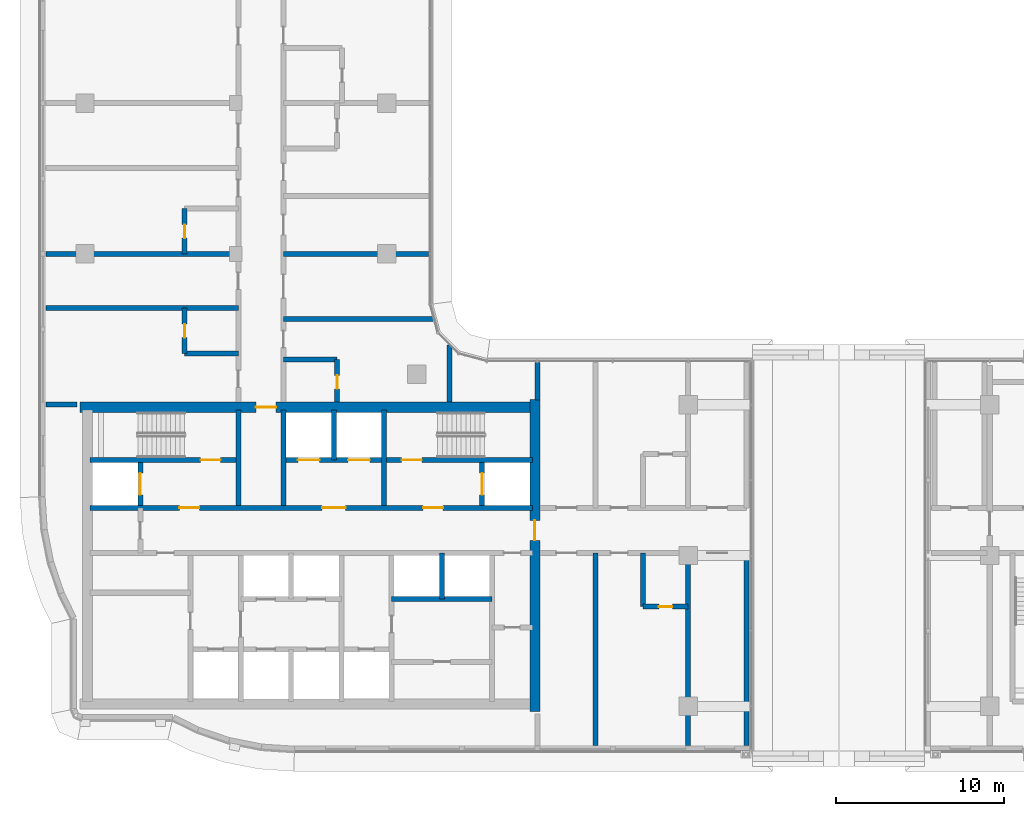
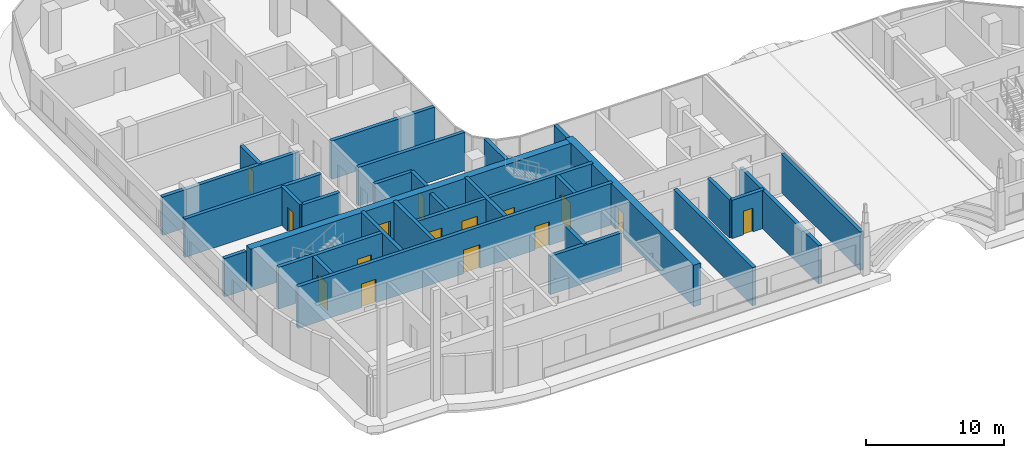
# One storey, part 11 of 23: 30 walls, 15 doors, 15 openings.
"""IFC4 building model written with IfcOpenShell, lengths in metres."""

from ifc_helpers import new_model, si_unit, direction, frame, frame_2d, origin, place, context, subcontext, project, spatial, rectangle, extrude, material, layer, layer_set, type_object, element, fill, save


model = new_model("IFC4")

# Units and contexts
model_context = context("Model", 3, precision=1e-05, world=origin(), true_north=direction((0.0, 1.0)))
body_context = subcontext(model_context, "Body", "Model", "MODEL_VIEW")
ifc_project = project(units=[si_unit("LENGTHUNIT", "METRE"), si_unit("AREAUNIT", "SQUARE_METRE"), si_unit("VOLUMEUNIT", "CUBIC_METRE"), si_unit("PLANEANGLEUNIT", "RADIAN"), si_unit("MASSUNIT", "GRAM", prefix="KILO")], contexts=[model_context])

# Site, building, storey
site_placement = place(None, origin())
site = spatial("IfcSite", under=ifc_project, at=site_placement, CompositionType="ELEMENT")
building_placement = place(site_placement, origin())
building = spatial("IfcBuilding", under=site, at=building_placement, Name="Ogive Portal Towers", CompositionType="ELEMENT")
storey_placement = place(building_placement, frame((0.0, 0.0, 179.199951171875)))
storey = spatial("IfcBuildingStorey", under=building, at=storey_placement, Name="L44", CompositionType="ELEMENT", Elevation=179.199951171875)

# Wall, openings, doors
ifc_material_1 = material(Name="Concrete C60/75", Category="concrete")
ifc_layer_1 = layer(ifc_material_1, 0.300048828125)
ifc_layer_set_1 = layer_set([ifc_layer_1], Name="CORE WALL 300 C60")
wall_type_1 = type_object("IfcWallType", Name="CORE WALL 300 C60", PredefinedType="SHEAR", material=ifc_layer_set_1)
wall_1_placement = place(storey_placement, frame((31.800048828125, 33.35009765625, 0.0), z_axis=(0.0, 0.0, 1.0), x_axis=(1.0, 0.0, 0.0)))
wall_1 = element("IfcWall", 1, at=wall_1_placement, inside=storey, type_object=wall_type_1, Name="Core wall Y2 L44", PredefinedType="SHEAR", context=body_context, shape_type="SweptSolid", body=[
    extrude(rectangle(XDim=26.39990234375, YDim=0.300048828125, at=frame_2d((13.199951171875, 0.0))), origin(), (0.0, 0.0, 1.0), 3.699951171875),
])
opening_1_placement = place(wall_1_placement, frame((13.85009765625, 0.0, 0.0)))
opening_1 = element("IfcOpeningElement", 2, at=opening_1_placement, cuts=wall_1, Name="Opening D19-002", PredefinedType="OPENING", context=body_context, shape_type="SweptSolid", body=[
    extrude(rectangle(XDim=1.39990234375, YDim=2.10009765625, at=frame_2d((0.699951171875, 1.050048828125))), frame((0.0, 0.16015625, 0.0), z_axis=(0.0, -1.0, 0.0), x_axis=(1.0, 0.0, 0.0)), (0.0, 0.0, 1.0), 0.320068359375),
])
opening_2_placement = place(wall_1_placement, frame((5.324951171875, 0.0, 0.0)))
opening_2 = element("IfcOpeningElement", 3, at=opening_2_placement, cuts=wall_1, Name="Opening D19-003", PredefinedType="OPENING", context=body_context, shape_type="SweptSolid", body=[
    extrude(rectangle(XDim=1.199951171875, YDim=2.10009765625, at=frame_2d((0.60009765625, 1.050048828125))), frame((0.0, 0.16015625, 0.0), z_axis=(0.0, -1.0, 0.0), x_axis=(1.0, 0.0, 0.0)), (0.0, 0.0, 1.0), 0.320068359375),
])
opening_3_placement = place(wall_1_placement, frame((19.875, 0.0, 0.0)))
opening_3 = element("IfcOpeningElement", 4, at=opening_3_placement, cuts=wall_1, Name="Opening D19-004", PredefinedType="OPENING", context=body_context, shape_type="SweptSolid", body=[
    extrude(rectangle(XDim=1.199951171875, YDim=2.10009765625, at=frame_2d((0.60009765625, 1.050048828125))), frame((0.0, 0.16015625, 0.0), z_axis=(0.0, -1.0, 0.0), x_axis=(1.0, 0.0, 0.0)), (0.0, 0.0, 1.0), 0.320068359375),
])
ifc_material_2 = material(Name="Steel fire door", Category="steel")
door_type_1 = type_object("IfcDoorType", Name="DT-SWING-1200x2100-FD90S", OperationType="SINGLE_SWING_LEFT", PredefinedType="DOOR", material=ifc_material_2)
door_1_placement = place(opening_2_placement, origin())
door_1 = element("IfcDoor", 5, at=door_1_placement, inside=storey, type_object=door_type_1, Name="Door D19-003", OperationType="SINGLE_SWING_LEFT", OverallHeight=2.10009765625, OverallWidth=1.199951171875, PredefinedType="DOOR", context=body_context, shape_type="SweptSolid", body=[
    extrude(rectangle(XDim=1.199951171875, YDim=2.10009765625, at=frame_2d((0.60009765625, 1.050048828125))), frame((0.0, 0.02490234375, 0.0), z_axis=(0.0, -1.0, 0.0), x_axis=(1.0, 0.0, 0.0)), (0.0, 0.0, 1.0), 0.050048828125),
])
fill(opening_2, door_1)
door_2_placement = place(opening_3_placement, origin())
door_2 = element("IfcDoor", 6, at=door_2_placement, inside=storey, type_object=door_type_1, Name="Door D19-004", OperationType="SINGLE_SWING_RIGHT", OverallHeight=2.10009765625, OverallWidth=1.199951171875, PredefinedType="DOOR", context=body_context, shape_type="SweptSolid", body=[
    extrude(rectangle(XDim=1.199951171875, YDim=2.10009765625, at=frame_2d((0.60009765625, 1.050048828125))), frame((0.0, 0.02490234375, 0.0), z_axis=(0.0, -1.0, 0.0), x_axis=(1.0, 0.0, 0.0)), (0.0, 0.0, 1.0), 0.050048828125),
])
fill(opening_3, door_2)
door_type_2 = type_object("IfcDoorType", Name="DT-SWING-1400x2100-FD90S", OperationType="SINGLE_SWING_LEFT", PredefinedType="DOOR", material=ifc_material_2)
door_3_placement = place(opening_1_placement, origin())
door_3 = element("IfcDoor", 7, at=door_3_placement, inside=storey, type_object=door_type_2, Name="Door D19-002", OperationType="SINGLE_SWING_RIGHT", OverallHeight=2.10009765625, OverallWidth=1.39990234375, PredefinedType="DOOR", context=body_context, shape_type="SweptSolid", body=[
    extrude(rectangle(XDim=1.39990234375, YDim=2.10009765625, at=frame_2d((0.699951171875, 1.050048828125))), frame((0.0, 0.02490234375, 0.0), z_axis=(0.0, -1.0, 0.0), x_axis=(1.0, 0.0, 0.0)), (0.0, 0.0, 1.0), 0.050048828125),
])
fill(opening_1, door_3)

# Wall, opening, door
wall_2_placement = place(storey_placement, frame((31.800048828125, 36.199951171875, 0.0), z_axis=(0.0, 0.0, 1.0), x_axis=(1.0, 0.0, 0.0)))
wall_2 = element("IfcWall", 8, at=wall_2_placement, inside=storey, type_object=wall_type_1, Name="Core wall Y3a L44", PredefinedType="SHEAR", context=body_context, shape_type="SweptSolid", body=[
    extrude(rectangle(XDim=8.699951171875, YDim=0.300048828125, at=frame_2d((4.35009765625, 0.0))), origin(), (0.0, 0.0, 1.0), 3.699951171875),
])
opening_4_placement = place(wall_2_placement, frame((6.60009765625, 0.0, 0.0)))
opening_4 = element("IfcOpeningElement", 9, at=opening_4_placement, cuts=wall_2, Name="Opening D19-005", PredefinedType="OPENING", context=body_context, shape_type="SweptSolid", body=[
    extrude(rectangle(XDim=1.199951171875, YDim=2.10009765625, at=frame_2d((0.60009765625, 1.050048828125))), frame((0.0, 0.16015625, 0.0), z_axis=(0.0, -1.0, 0.0), x_axis=(1.0, 0.0, 0.0)), (0.0, 0.0, 1.0), 0.320068359375),
])
door_4_placement = place(opening_4_placement, origin())
door_4 = element("IfcDoor", 10, at=door_4_placement, inside=storey, type_object=door_type_1, Name="Door D19-005", OperationType="SINGLE_SWING_RIGHT", OverallHeight=2.10009765625, OverallWidth=1.199951171875, PredefinedType="DOOR", context=body_context, shape_type="SweptSolid", body=[
    extrude(rectangle(XDim=1.199951171875, YDim=2.10009765625, at=frame_2d((0.60009765625, 1.050048828125))), frame((0.0, 0.02490234375, 0.0), z_axis=(0.0, -1.0, 0.0), x_axis=(1.0, 0.0, 0.0)), (0.0, 0.0, 1.0), 0.050048828125),
])
fill(opening_4, door_4)

# Wall, openings, doors
wall_3_placement = place(storey_placement, frame((43.5, 36.199951171875, 0.0), z_axis=(0.0, 0.0, 1.0), x_axis=(1.0, 0.0, 0.0)))
wall_3 = element("IfcWall", 11, at=wall_3_placement, inside=storey, type_object=wall_type_1, Name="Core wall Y3b L44", PredefinedType="SHEAR", context=body_context, shape_type="SweptSolid", body=[
    extrude(rectangle(XDim=14.699951171875, YDim=0.300048828125, at=frame_2d((7.35009765625, 0.0))), origin(), (0.0, 0.0, 1.0), 3.699951171875),
])
opening_5_placement = place(wall_3_placement, frame((6.89990234375, 0.0, 0.0)))
opening_5 = element("IfcOpeningElement", 12, at=opening_5_placement, cuts=wall_3, Name="Opening D19-006", PredefinedType="OPENING", context=body_context, shape_type="SweptSolid", body=[
    extrude(rectangle(XDim=1.199951171875, YDim=2.10009765625, at=frame_2d((0.60009765625, 1.050048828125))), frame((0.0, 0.16015625, 0.0), z_axis=(0.0, -1.0, 0.0), x_axis=(1.0, 0.0, 0.0)), (0.0, 0.0, 1.0), 0.320068359375),
])
opening_6_placement = place(wall_3_placement, frame((0.699951171875, 0.0, 0.0)))
opening_6 = element("IfcOpeningElement", 13, at=opening_6_placement, cuts=wall_3, Name="Opening D19-017", PredefinedType="OPENING", context=body_context, shape_type="SweptSolid", body=[
    extrude(rectangle(XDim=1.300048828125, YDim=2.39990234375, at=frame_2d((0.64990234375, 1.199951171875))), frame((0.0, 0.16015625, 0.0), z_axis=(0.0, -1.0, 0.0), x_axis=(1.0, 0.0, 0.0)), (0.0, 0.0, 1.0), 0.320068359375),
])
opening_7_placement = place(wall_3_placement, frame((3.699951171875, 0.0, 0.0)))
opening_7 = element("IfcOpeningElement", 14, at=opening_7_placement, cuts=wall_3, Name="Opening D19-018", PredefinedType="OPENING", context=body_context, shape_type="SweptSolid", body=[
    extrude(rectangle(XDim=1.300048828125, YDim=2.39990234375, at=frame_2d((0.64990234375, 1.199951171875))), frame((0.0, 0.16015625, 0.0), z_axis=(0.0, -1.0, 0.0), x_axis=(1.0, 0.0, 0.0)), (0.0, 0.0, 1.0), 0.320068359375),
])
ifc_material_3 = material(Name="Stainless steel", Category="steel")
door_type_3 = type_object("IfcDoorType", Name="DT-LD-1300x2400", OperationType="SLIDING_TO_LEFT", PredefinedType="DOOR", material=ifc_material_3)
door_5_placement = place(opening_6_placement, origin())
door_5 = element("IfcDoor", 15, at=door_5_placement, inside=storey, type_object=door_type_3, Name="Door D19-017", OperationType="SLIDING_TO_LEFT", OverallHeight=2.39990234375, OverallWidth=1.300048828125, PredefinedType="DOOR", context=body_context, shape_type="SweptSolid", body=[
    extrude(rectangle(XDim=1.300048828125, YDim=2.39990234375, at=frame_2d((0.64990234375, 1.199951171875))), frame((0.0, 0.02490234375, 0.0), z_axis=(0.0, -1.0, 0.0), x_axis=(1.0, 0.0, 0.0)), (0.0, 0.0, 1.0), 0.050048828125),
])
fill(opening_6, door_5)
door_6_placement = place(opening_7_placement, origin())
door_6 = element("IfcDoor", 16, at=door_6_placement, inside=storey, type_object=door_type_3, Name="Door D19-018", OperationType="SLIDING_TO_LEFT", OverallHeight=2.39990234375, OverallWidth=1.300048828125, PredefinedType="DOOR", context=body_context, shape_type="SweptSolid", body=[
    extrude(rectangle(XDim=1.300048828125, YDim=2.39990234375, at=frame_2d((0.64990234375, 1.199951171875))), frame((0.0, 0.02490234375, 0.0), z_axis=(0.0, -1.0, 0.0), x_axis=(1.0, 0.0, 0.0)), (0.0, 0.0, 1.0), 0.050048828125),
])
fill(opening_7, door_6)
door_7_placement = place(opening_5_placement, origin())
door_7 = element("IfcDoor", 17, at=door_7_placement, inside=storey, type_object=door_type_1, Name="Door D19-006", OperationType="SINGLE_SWING_LEFT", OverallHeight=2.10009765625, OverallWidth=1.199951171875, PredefinedType="DOOR", context=body_context, shape_type="SweptSolid", body=[
    extrude(rectangle(XDim=1.199951171875, YDim=2.10009765625, at=frame_2d((0.60009765625, 1.050048828125))), frame((0.0, 0.02490234375, 0.0), z_axis=(0.0, -1.0, 0.0), x_axis=(1.0, 0.0, 0.0)), (0.0, 0.0, 1.0), 0.050048828125),
])
fill(opening_5, door_7)

# Walls
for number, where, z_axis, x_axis, name in (
    (18, (40.64990234375, 33.5, 0.0), (0.0, 0.0, 1.0), (0.0, 1.0, 0.0), "Core wall X6 L44"),
    (19, (43.35009765625, 33.5, 0.0), (0.0, 0.0, 1.0), (0.0, 1.0, 0.0), "Core wall X7 L44"),
):
    element("IfcWall", number, at=place(storey_placement, frame(where, z_axis=z_axis, x_axis=x_axis)), inside=storey, type_object=wall_type_1, Name=name, PredefinedType="SHEAR", context=body_context, shape_type="SweptSolid", body=[
        extrude(rectangle(XDim=5.699951171875, YDim=0.300048828125, at=frame_2d((2.85009765625, 0.0))), origin(), (0.0, 0.0, 1.0), 3.699951171875),
    ])

# Wall, opening, door
wall_4_placement = place(storey_placement, frame((34.800048828125, 33.5, 0.0), z_axis=(0.0, 0.0, 1.0), x_axis=(0.0, 1.0, 0.0)))
wall_4 = element("IfcWall", 20, at=wall_4_placement, inside=storey, type_object=wall_type_1, Name="Core wall X8 L44", PredefinedType="SHEAR", context=body_context, shape_type="SweptSolid", body=[
    extrude(rectangle(XDim=2.550048828125, YDim=0.300048828125, at=frame_2d((1.27490234375, 0.0))), origin(), (0.0, 0.0, 1.0), 3.699951171875),
])
opening_8_placement = place(wall_4_placement, frame((0.625, 0.0, 0.0)))
opening_8 = element("IfcOpeningElement", 21, at=opening_8_placement, cuts=wall_4, Name="Opening D19-019", PredefinedType="OPENING", context=body_context, shape_type="SweptSolid", body=[
    extrude(rectangle(XDim=1.300048828125, YDim=2.39990234375, at=frame_2d((0.64990234375, 1.199951171875))), frame((0.0, 0.16015625, 0.0), z_axis=(0.0, -1.0, 0.0), x_axis=(1.0, 0.0, 0.0)), (0.0, 0.0, 1.0), 0.320068359375),
])
door_8_placement = place(opening_8_placement, origin())
door_8 = element("IfcDoor", 22, at=door_8_placement, inside=storey, type_object=door_type_3, Name="Door D19-019", OperationType="SLIDING_TO_LEFT", OverallHeight=2.39990234375, OverallWidth=1.300048828125, PredefinedType="DOOR", context=body_context, shape_type="SweptSolid", body=[
    extrude(rectangle(XDim=1.300048828125, YDim=2.39990234375, at=frame_2d((0.64990234375, 1.199951171875))), frame((0.0, 0.02490234375, 0.0), z_axis=(0.0, -1.0, 0.0), x_axis=(1.0, 0.0, 0.0)), (0.0, 0.0, 1.0), 0.050048828125),
])
fill(opening_8, door_8)

# Wall
wall_5_placement = place(storey_placement, frame((49.35009765625, 33.5, 0.0), z_axis=(0.0, 0.0, 1.0), x_axis=(0.0, 1.0, 0.0)))
element("IfcWall", 23, at=wall_5_placement, inside=storey, type_object=wall_type_1, Name="Core wall X9 L44", PredefinedType="SHEAR", context=body_context, shape_type="SweptSolid", body=[
    extrude(rectangle(XDim=5.699951171875, YDim=0.300048828125, at=frame_2d((2.85009765625, 0.0))), origin(), (0.0, 0.0, 1.0), 3.699951171875),
])

# Wall, opening, door
wall_6_placement = place(storey_placement, frame((55.199951171875, 33.5, 0.0), z_axis=(0.0, 0.0, 1.0), x_axis=(0.0, 1.0, 0.0)))
wall_6 = element("IfcWall", 24, at=wall_6_placement, inside=storey, type_object=wall_type_1, Name="Core wall X10 L44", PredefinedType="SHEAR", context=body_context, shape_type="SweptSolid", body=[
    extrude(rectangle(XDim=2.550048828125, YDim=0.300048828125, at=frame_2d((1.27490234375, 0.0))), origin(), (0.0, 0.0, 1.0), 3.699951171875),
])
opening_9_placement = place(wall_6_placement, frame((0.625, 0.0, 0.0)))
opening_9 = element("IfcOpeningElement", 25, at=opening_9_placement, cuts=wall_6, Name="Opening D19-020", PredefinedType="OPENING", context=body_context, shape_type="SweptSolid", body=[
    extrude(rectangle(XDim=1.300048828125, YDim=2.39990234375, at=frame_2d((0.64990234375, 1.199951171875))), frame((0.0, 0.16015625, 0.0), z_axis=(0.0, -1.0, 0.0), x_axis=(1.0, 0.0, 0.0)), (0.0, 0.0, 1.0), 0.320068359375),
])
door_9_placement = place(opening_9_placement, origin())
door_9 = element("IfcDoor", 26, at=door_9_placement, inside=storey, type_object=door_type_3, Name="Door D19-020", OperationType="SLIDING_TO_LEFT", OverallHeight=2.39990234375, OverallWidth=1.300048828125, PredefinedType="DOOR", context=body_context, shape_type="SweptSolid", body=[
    extrude(rectangle(XDim=1.300048828125, YDim=2.39990234375, at=frame_2d((0.64990234375, 1.199951171875))), frame((0.0, 0.02490234375, 0.0), z_axis=(0.0, -1.0, 0.0), x_axis=(1.0, 0.0, 0.0)), (0.0, 0.0, 1.0), 0.050048828125),
])
fill(opening_9, door_9)

ifc_layer_2 = layer(ifc_material_1, 0.60009765625)
ifc_layer_set_2 = layer_set([ifc_layer_2], Name="CORE WALL 600 C60")
wall_type_2 = type_object("IfcWallType", Name="CORE WALL 600 C60", PredefinedType="SHEAR", material=ifc_layer_set_2)
wall_7_placement = place(storey_placement, frame((58.35009765625, 21.199951171875, 0.0), z_axis=(0.0, 0.0, 1.0), x_axis=(0.0, 1.0, 0.0)))
wall_7 = element("IfcWall", 27, at=wall_7_placement, inside=storey, type_object=wall_type_2, Name="Core wall E L44", PredefinedType="SHEAR", context=body_context, shape_type="SweptSolid", body=[
    extrude(rectangle(XDim=18.60009765625, YDim=0.60009765625, at=frame_2d((9.300048828125, 0.0))), origin(), (0.0, 0.0, 1.0), 3.699951171875),
])
opening_10_placement = place(wall_7_placement, frame((10.199951171875, 0.0, 0.0)))
opening_10 = element("IfcOpeningElement", 28, at=opening_10_placement, cuts=wall_7, Name="Opening D19-011", PredefinedType="OPENING", context=body_context, shape_type="SweptSolid", body=[
    extrude(rectangle(XDim=1.199951171875, YDim=2.10009765625, at=frame_2d((0.60009765625, 1.050048828125))), frame((0.0, 0.31005859375, 0.0), z_axis=(0.0, -1.0, 0.0), x_axis=(1.0, 0.0, 0.0)), (0.0, 0.0, 1.0), 0.6201171875),
])
door_10_placement = place(opening_10_placement, origin())
door_10 = element("IfcDoor", 29, at=door_10_placement, inside=storey, type_object=door_type_1, Name="Door D19-011", OperationType="SINGLE_SWING_LEFT", OverallHeight=2.10009765625, OverallWidth=1.199951171875, PredefinedType="DOOR", context=body_context, shape_type="SweptSolid", body=[
    extrude(rectangle(XDim=1.199951171875, YDim=2.10009765625, at=frame_2d((0.60009765625, 1.050048828125))), frame((0.0, 0.02490234375, 0.0), z_axis=(0.0, -1.0, 0.0), x_axis=(1.0, 0.0, 0.0)), (0.0, 0.0, 1.0), 0.050048828125),
])
fill(opening_10, door_10)

wall_8_placement = place(storey_placement, frame((31.199951171875, 39.35009765625, 0.0), z_axis=(0.0, 0.0, 1.0), x_axis=(1.0, 0.0, 0.0)))
wall_8 = element("IfcWall", 30, at=wall_8_placement, inside=storey, type_object=wall_type_2, Name="Core wall N L44", PredefinedType="SHEAR", context=body_context, shape_type="SweptSolid", body=[
    extrude(rectangle(XDim=27.0, YDim=0.60009765625, at=frame_2d((13.5, 0.0))), origin(), (0.0, 0.0, 1.0), 3.699951171875),
])
opening_11_placement = place(wall_8_placement, frame((10.5, 0.0, 0.0)))
opening_11 = element("IfcOpeningElement", 31, at=opening_11_placement, cuts=wall_8, Name="Opening D19-012", PredefinedType="OPENING", context=body_context, shape_type="SweptSolid", body=[
    extrude(rectangle(XDim=1.199951171875, YDim=2.10009765625, at=frame_2d((0.60009765625, 1.050048828125))), frame((0.0, 0.31005859375, 0.0), z_axis=(0.0, -1.0, 0.0), x_axis=(1.0, 0.0, 0.0)), (0.0, 0.0, 1.0), 0.6201171875),
])
door_11_placement = place(opening_11_placement, origin())
door_11 = element("IfcDoor", 32, at=door_11_placement, inside=storey, type_object=door_type_1, Name="Door D19-012", OperationType="SINGLE_SWING_RIGHT", OverallHeight=2.10009765625, OverallWidth=1.199951171875, PredefinedType="DOOR", context=body_context, shape_type="SweptSolid", body=[
    extrude(rectangle(XDim=1.199951171875, YDim=2.10009765625, at=frame_2d((0.60009765625, 1.050048828125))), frame((0.0, 0.02490234375, 0.0), z_axis=(0.0, -1.0, 0.0), x_axis=(1.0, 0.0, 0.0)), (0.0, 0.0, 1.0), 0.050048828125),
])
fill(opening_11, door_11)

ifc_material_4 = material(Name="Gypsum board partition on steel studs", Category="steel")
ifc_layer_3 = layer(ifc_material_4, 0.300048828125)
ifc_layer_set_3 = layer_set([ifc_layer_3], Name="WT-PART-300-EI 60")
wall_type_3 = type_object("IfcWallType", Name="WT-PART-300-EI 60", PredefinedType="PARTITIONING", material=ifc_layer_set_3)
wall_9_placement = place(storey_placement, frame((64.800048828125, 27.449951171875, 0.0), z_axis=(0.0, 0.0, 1.0), x_axis=(1.0, 0.0, 0.0)))
wall_9 = element("IfcWall", 33, at=wall_9_placement, inside=storey, type_object=wall_type_3, Name="Wall L44:w002", PredefinedType="PARTITIONING", context=body_context, shape_type="SweptSolid", body=[
    extrude(rectangle(XDim=2.699951171875, YDim=0.300048828125, at=frame_2d((1.35009765625, 0.0))), origin(), (0.0, 0.0, 1.0), 3.400146484375),
])
opening_12_placement = place(wall_9_placement, frame((0.949951171875, 0.0, 0.0)))
opening_12 = element("IfcOpeningElement", 34, at=opening_12_placement, cuts=wall_9, Name="Opening D19-030", PredefinedType="OPENING", context=body_context, shape_type="SweptSolid", body=[
    extrude(rectangle(XDim=0.800048828125, YDim=2.10009765625, at=frame_2d((0.39990234375, 1.050048828125))), frame((0.0, 0.16015625, 0.0), z_axis=(0.0, -1.0, 0.0), x_axis=(1.0, 0.0, 0.0)), (0.0, 0.0, 1.0), 0.320068359375),
])
door_type_4 = type_object("IfcDoorType", Name="DT-BATH-800x2100-FD60S", OperationType="SINGLE_SWING_LEFT", PredefinedType="DOOR", material=ifc_material_2)
door_12_placement = place(opening_12_placement, origin())
door_12 = element("IfcDoor", 35, at=door_12_placement, inside=storey, type_object=door_type_4, Name="Door D19-030", OperationType="SINGLE_SWING_RIGHT", OverallHeight=2.10009765625, OverallWidth=0.800048828125, PredefinedType="DOOR", context=body_context, shape_type="SweptSolid", body=[
    extrude(rectangle(XDim=0.800048828125, YDim=2.10009765625, at=frame_2d((0.39990234375, 1.050048828125))), frame((0.0, 0.02490234375, 0.0), z_axis=(0.0, -1.0, 0.0), x_axis=(1.0, 0.0, 0.0)), (0.0, 0.0, 1.0), 0.050048828125),
])
fill(opening_12, door_12)

# Walls
wall_10_placement = place(storey_placement, frame((29.169921875, 39.5, 0.0), z_axis=(0.0, 0.0, 1.0), x_axis=(1.0, 0.0, 0.0)))
element("IfcWall", 36, at=wall_10_placement, inside=storey, type_object=wall_type_3, Name="Wall L44:w010", PredefinedType="PARTITIONING", context=body_context, shape_type="SweptSolid", body=[
    extrude(rectangle(XDim=1.860107421875, YDim=0.300048828125, at=frame_2d((0.93017578125, 0.0))), origin(), (0.0, 0.0, 1.0), 3.400146484375),
])
for number, where, z_axis, x_axis, name in (
    (37, (43.35009765625, 42.199951171875, 0.0), (0.0, 0.0, 1.0), (1.0, 0.0, 0.0), "Wall L44:w012"),
    (38, (37.449951171875, 42.56005859375, 0.0), (0.0, 0.0, 1.0), (1.0, 0.0, 0.0), "Wall L44:w013"),
):
    element("IfcWall", number, at=place(storey_placement, frame(where, z_axis=z_axis, x_axis=x_axis)), inside=storey, type_object=wall_type_3, Name=name, PredefinedType="PARTITIONING", context=body_context, shape_type="SweptSolid", body=[
        extrude(rectangle(XDim=3.199951171875, YDim=0.300048828125, at=frame_2d((1.60009765625, 0.0))), origin(), (0.0, 0.0, 1.0), 3.400146484375),
    ])
wall_11_placement = place(storey_placement, frame((43.35009765625, 44.6298828125, 0.0), z_axis=(0.0, 0.0, 1.0), x_axis=(1.0, 0.0, 0.0)))
element("IfcWall", 39, at=wall_11_placement, inside=storey, type_object=wall_type_3, Name="Wall L44:w014", PredefinedType="PARTITIONING", context=body_context, shape_type="SweptSolid", body=[
    extrude(rectangle(XDim=8.949951171875, YDim=0.300048828125, at=frame_2d((4.47509765625, 0.0))), origin(), (0.0, 0.0, 1.0), 3.400146484375),
])
for number, where, z_axis, x_axis, name in (
    (40, (29.169921875, 45.260009765625, 0.0), (0.0, 0.0, 1.0), (1.0, 0.0, 0.0), "Wall L44:w015"),
    (41, (29.169921875, 48.5, 0.0), (0.0, 0.0, 1.0), (1.0, 0.0, 0.0), "Wall L44:w016"),
):
    element("IfcWall", number, at=place(storey_placement, frame(where, z_axis=z_axis, x_axis=x_axis)), inside=storey, type_object=wall_type_3, Name=name, PredefinedType="PARTITIONING", context=body_context, shape_type="SweptSolid", body=[
        extrude(rectangle(XDim=11.47998046875, YDim=0.300048828125, at=frame_2d((5.739990234375, 0.0))), origin(), (0.0, 0.0, 1.0), 3.400146484375),
    ])
wall_12_placement = place(storey_placement, frame((43.35009765625, 48.5, 0.0), z_axis=(0.0, 0.0, 1.0), x_axis=(1.0, 0.0, 0.0)))
element("IfcWall", 42, at=wall_12_placement, inside=storey, type_object=wall_type_3, Name="Wall L44:w017", PredefinedType="PARTITIONING", context=body_context, shape_type="SweptSolid", body=[
    extrude(rectangle(XDim=8.659912109375, YDim=0.300048828125, at=frame_2d((4.330078125, 0.0))), origin(), (0.0, 0.0, 1.0), 3.400146484375),
])

# Wall, opening, door
wall_13_placement = place(storey_placement, frame((37.449951171875, 42.56005859375, 0.0), z_axis=(0.0, 0.0, 1.0), x_axis=(0.0, 1.0, 0.0)))
wall_13 = element("IfcWall", 43, at=wall_13_placement, inside=storey, type_object=wall_type_3, Name="Wall L44:w032", PredefinedType="PARTITIONING", context=body_context, shape_type="SweptSolid", body=[
    extrude(rectangle(XDim=2.699951171875, YDim=0.300048828125, at=frame_2d((1.35009765625, 0.0))), origin(), (0.0, 0.0, 1.0), 3.400146484375),
])
opening_13_placement = place(wall_13_placement, frame((0.949951171875, 0.0, 0.0)))
opening_13 = element("IfcOpeningElement", 44, at=opening_13_placement, cuts=wall_13, Name="Opening D19-038", PredefinedType="OPENING", context=body_context, shape_type="SweptSolid", body=[
    extrude(rectangle(XDim=0.800048828125, YDim=2.10009765625, at=frame_2d((0.39990234375, 1.050048828125))), frame((0.0, 0.16015625, 0.0), z_axis=(0.0, -1.0, 0.0), x_axis=(1.0, 0.0, 0.0)), (0.0, 0.0, 1.0), 0.320068359375),
])
door_13_placement = place(opening_13_placement, origin())
door_13 = element("IfcDoor", 45, at=door_13_placement, inside=storey, type_object=door_type_4, Name="Door D19-038", OperationType="SINGLE_SWING_LEFT", OverallHeight=2.10009765625, OverallWidth=0.800048828125, PredefinedType="DOOR", context=body_context, shape_type="SweptSolid", body=[
    extrude(rectangle(XDim=0.800048828125, YDim=2.10009765625, at=frame_2d((0.39990234375, 1.050048828125))), frame((0.0, 0.02490234375, 0.0), z_axis=(0.0, -1.0, 0.0), x_axis=(1.0, 0.0, 0.0)), (0.0, 0.0, 1.0), 0.050048828125),
])
fill(opening_13, door_13)

wall_14_placement = place(storey_placement, frame((37.449951171875, 48.5, 0.0), z_axis=(0.0, 0.0, 1.0), x_axis=(0.0, 1.0, 0.0)))
wall_14 = element("IfcWall", 46, at=wall_14_placement, inside=storey, type_object=wall_type_3, Name="Wall L44:w033", PredefinedType="PARTITIONING", context=body_context, shape_type="SweptSolid", body=[
    extrude(rectangle(XDim=2.699951171875, YDim=0.300048828125, at=frame_2d((1.35009765625, 0.0))), origin(), (0.0, 0.0, 1.0), 3.400146484375),
])
opening_14_placement = place(wall_14_placement, frame((0.949951171875, 0.0, 0.0)))
opening_14 = element("IfcOpeningElement", 47, at=opening_14_placement, cuts=wall_14, Name="Opening D19-044", PredefinedType="OPENING", context=body_context, shape_type="SweptSolid", body=[
    extrude(rectangle(XDim=0.800048828125, YDim=2.10009765625, at=frame_2d((0.39990234375, 1.050048828125))), frame((0.0, 0.16015625, 0.0), z_axis=(0.0, -1.0, 0.0), x_axis=(1.0, 0.0, 0.0)), (0.0, 0.0, 1.0), 0.320068359375),
])
door_14_placement = place(opening_14_placement, origin())
door_14 = element("IfcDoor", 48, at=door_14_placement, inside=storey, type_object=door_type_4, Name="Door D19-044", OperationType="SINGLE_SWING_LEFT", OverallHeight=2.10009765625, OverallWidth=0.800048828125, PredefinedType="DOOR", context=body_context, shape_type="SweptSolid", body=[
    extrude(rectangle(XDim=0.800048828125, YDim=2.10009765625, at=frame_2d((0.39990234375, 1.050048828125))), frame((0.0, 0.02490234375, 0.0), z_axis=(0.0, -1.0, 0.0), x_axis=(1.0, 0.0, 0.0)), (0.0, 0.0, 1.0), 0.050048828125),
])
fill(opening_14, door_14)

wall_15_placement = place(storey_placement, frame((46.550048828125, 39.64990234375, 0.0), z_axis=(0.0, 0.0, 1.0), x_axis=(0.0, 1.0, 0.0)))
wall_15 = element("IfcWall", 49, at=wall_15_placement, inside=storey, type_object=wall_type_3, Name="Wall L44:w039", PredefinedType="PARTITIONING", context=body_context, shape_type="SweptSolid", body=[
    extrude(rectangle(XDim=2.550048828125, YDim=0.300048828125, at=frame_2d((1.27490234375, 0.0))), origin(), (0.0, 0.0, 1.0), 3.400146484375),
])
opening_15_placement = place(wall_15_placement, frame((0.800048828125, 0.0, 0.0)))
opening_15 = element("IfcOpeningElement", 50, at=opening_15_placement, cuts=wall_15, Name="Opening D19-035", PredefinedType="OPENING", context=body_context, shape_type="SweptSolid", body=[
    extrude(rectangle(XDim=0.800048828125, YDim=2.10009765625, at=frame_2d((0.39990234375, 1.050048828125))), frame((0.0, 0.16015625, 0.0), z_axis=(0.0, -1.0, 0.0), x_axis=(1.0, 0.0, 0.0)), (0.0, 0.0, 1.0), 0.320068359375),
])
door_15_placement = place(opening_15_placement, origin())
door_15 = element("IfcDoor", 51, at=door_15_placement, inside=storey, type_object=door_type_4, Name="Door D19-035", OperationType="SINGLE_SWING_LEFT", OverallHeight=2.10009765625, OverallWidth=0.800048828125, PredefinedType="DOOR", context=body_context, shape_type="SweptSolid", body=[
    extrude(rectangle(XDim=0.800048828125, YDim=2.10009765625, at=frame_2d((0.39990234375, 1.050048828125))), frame((0.0, 0.02490234375, 0.0), z_axis=(0.0, -1.0, 0.0), x_axis=(1.0, 0.0, 0.0)), (0.0, 0.0, 1.0), 0.050048828125),
])
fill(opening_15, door_15)

# Walls
wall_16_placement = place(storey_placement, frame((53.25, 39.64990234375, 0.0), z_axis=(0.0, 0.0, 1.0), x_axis=(0.0, 1.0, 0.0)))
element("IfcWall", 52, at=wall_16_placement, inside=storey, type_object=wall_type_3, Name="Wall L44:w042", PredefinedType="PARTITIONING", context=body_context, shape_type="SweptSolid", body=[
    extrude(rectangle(XDim=3.4130859375, YDim=0.300048828125, at=frame_2d((1.70654296875, 0.0))), origin(), (0.0, 0.0, 1.0), 3.400146484375),
])
wall_17_placement = place(storey_placement, frame((58.5, 39.7900390625, 0.0), z_axis=(0.0, 0.0, 1.0), x_axis=(0.0, 1.0, 0.0)))
element("IfcWall", 53, at=wall_17_placement, inside=storey, type_object=wall_type_3, Name="Wall L44:w044", PredefinedType="PARTITIONING", context=body_context, shape_type="SweptSolid", body=[
    extrude(rectangle(XDim=2.219970703125, YDim=0.300048828125, at=frame_2d((1.10986328125, 0.0))), origin(), (0.0, 0.0, 1.0), 3.400146484375),
])
wall_18_placement = place(storey_placement, frame((61.969970703125, 19.169921875, 0.0), z_axis=(0.0, 0.0, 1.0), x_axis=(0.0, 1.0, 0.0)))
element("IfcWall", 54, at=wall_18_placement, inside=storey, type_object=wall_type_3, Name="Wall L44:w045", PredefinedType="PARTITIONING", context=body_context, shape_type="SweptSolid", body=[
    extrude(rectangle(XDim=11.47998046875, YDim=0.300048828125, at=frame_2d((5.739990234375, 0.0))), origin(), (0.0, 0.0, 1.0), 3.400146484375),
])
wall_19_placement = place(storey_placement, frame((64.800048828125, 27.449951171875, 0.0), z_axis=(0.0, 0.0, 1.0), x_axis=(0.0, 1.0, 0.0)))
element("IfcWall", 55, at=wall_19_placement, inside=storey, type_object=wall_type_3, Name="Wall L44:w047", PredefinedType="PARTITIONING", context=body_context, shape_type="SweptSolid", body=[
    extrude(rectangle(XDim=3.199951171875, YDim=0.300048828125, at=frame_2d((1.60009765625, 0.0))), origin(), (0.0, 0.0, 1.0), 3.400146484375),
])
for number, where, z_axis, x_axis, name in (
    (56, (67.5, 19.169921875, 0.0), (0.0, 0.0, 1.0), (0.0, 1.0, 0.0), "Wall L44:w049"),
    (57, (70.969970703125, 19.169921875, 0.0), (0.0, 0.0, 1.0), (0.0, 1.0, 0.0), "Wall L44:w051"),
):
    element("IfcWall", number, at=place(storey_placement, frame(where, z_axis=z_axis, x_axis=x_axis)), inside=storey, type_object=wall_type_3, Name=name, PredefinedType="PARTITIONING", context=body_context, shape_type="SweptSolid", body=[
        extrude(rectangle(XDim=11.47998046875, YDim=0.300048828125, at=frame_2d((5.739990234375, 0.0))), origin(), (0.0, 0.0, 1.0), 3.400146484375),
    ])
ifc_material_5 = material(Name="Concrete C40/50", Category="concrete")
ifc_layer_4 = layer(ifc_material_5, 0.300048828125)
ifc_layer_set_4 = layer_set([ifc_layer_4], Name="WT-SHAFT-300")
wall_type_4 = type_object("IfcWallType", Name="WT-SHAFT-300", PredefinedType="SOLIDWALL", material=ifc_layer_set_4)
wall_20_placement = place(storey_placement, frame((49.800048828125, 27.89990234375, 0.0), z_axis=(0.0, 0.0, 1.0), x_axis=(1.0, 0.0, 0.0)))
element("IfcWall", 58, at=wall_20_placement, inside=storey, type_object=wall_type_4, Name="Wall pw:005:L44", PredefinedType="SOLIDWALL", context=body_context, shape_type="SweptSolid", body=[
    extrude(rectangle(XDim=6.0, YDim=0.300048828125, at=frame_2d((3.0, 0.0))), origin(), (0.0, 0.0, 1.0), 3.400146484375),
])
wall_21_placement = place(storey_placement, frame((46.35009765625, 36.199951171875, 0.0), z_axis=(0.0, 0.0, 1.0), x_axis=(0.0, 1.0, 0.0)))
element("IfcWall", 59, at=wall_21_placement, inside=storey, type_object=wall_type_4, Name="Wall pw:010:L44", PredefinedType="SOLIDWALL", context=body_context, shape_type="SweptSolid", body=[
    extrude(rectangle(XDim=3.0, YDim=0.300048828125, at=frame_2d((1.5, 0.0))), origin(), (0.0, 0.0, 1.0), 3.400146484375),
])
wall_22_placement = place(storey_placement, frame((52.800048828125, 27.89990234375, 0.0), z_axis=(0.0, 0.0, 1.0), x_axis=(0.0, 1.0, 0.0)))
element("IfcWall", 60, at=wall_22_placement, inside=storey, type_object=wall_type_4, Name="Wall pw:011:L44", PredefinedType="SOLIDWALL", context=body_context, shape_type="SweptSolid", body=[
    extrude(rectangle(XDim=2.75, YDim=0.300048828125, at=frame_2d((1.375, 0.0))), origin(), (0.0, 0.0, 1.0), 3.400146484375),
])

save(model, "model.ifc")
